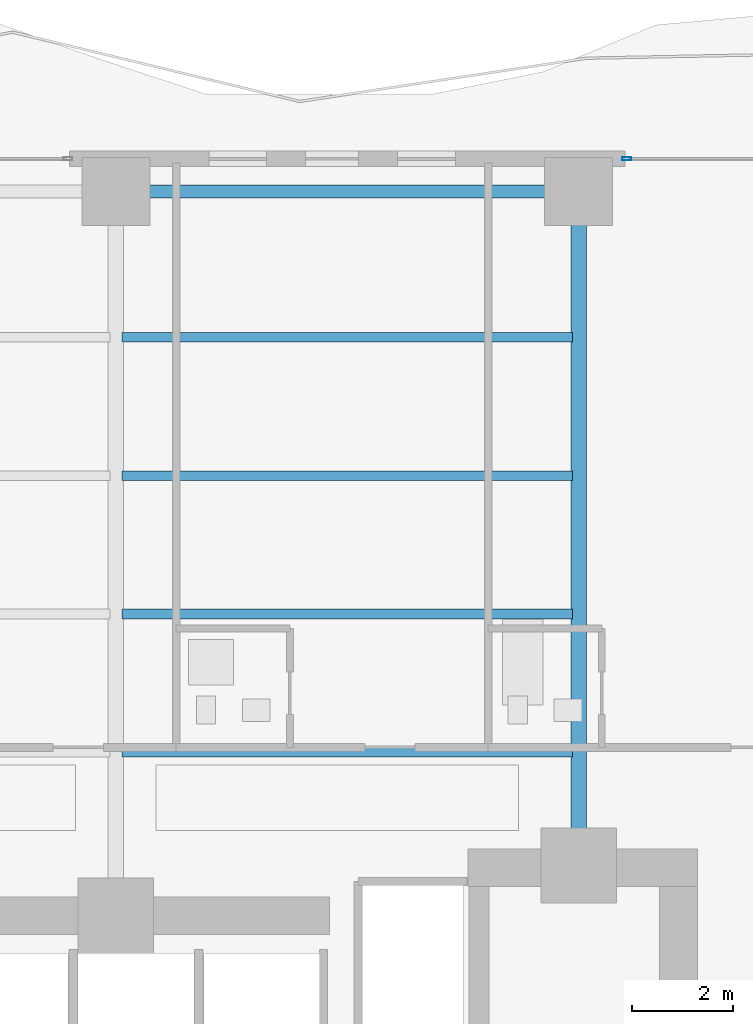
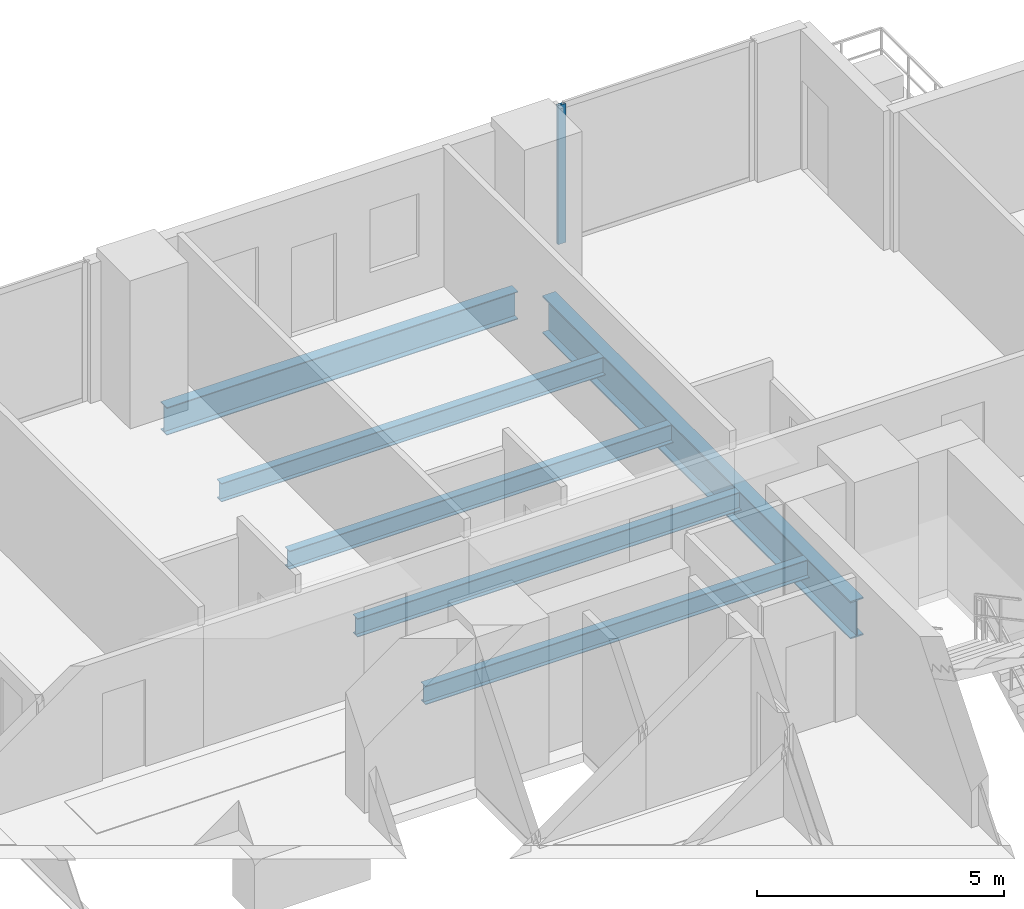
# One storey, part 17 of 27: 6 beams, 1 member, 1 element without a shape of its own.
"""IFC4 building model written with IfcOpenShell, lengths in metres."""

from ifc_helpers import new_model, si_unit, direction, frame, origin, origin_2d, place, context, subcontext, project, spatial, hollow_rectangle, i_section, extrude, material, layer, layer_set, material_profile, profile_set, type_object, element, aggregate, save


model = new_model("IFC4")

# Units and contexts
model_context = context("Model", 3, precision=1e-05, world=origin(), true_north=direction((0.0, 1.0)))
body_context = subcontext(model_context, "Body", "Model", "MODEL_VIEW")
ifc_project = project(units=[si_unit("LENGTHUNIT", "METRE"), si_unit("AREAUNIT", "SQUARE_METRE"), si_unit("VOLUMEUNIT", "CUBIC_METRE"), si_unit("PLANEANGLEUNIT", "RADIAN"), si_unit("MASSUNIT", "GRAM", prefix="KILO")], contexts=[model_context])

# Site, building, storey
site_placement = place(None, origin())
site = spatial("IfcSite", under=ifc_project, at=site_placement, CompositionType="ELEMENT")
building_placement = place(site_placement, origin())
building = spatial("IfcBuilding", under=site, at=building_placement, Name="Zuhayl Quay Hotel", CompositionType="ELEMENT")
storey_placement = place(building_placement, frame((0.0, 0.0, 102.949951171875)))
storey = spatial("IfcBuildingStorey", under=building, at=storey_placement, Name="L25", CompositionType="ELEMENT", Elevation=102.949951171875)

# Beams
ifc_material_1 = material(Name="Steel ASTM A992 Grade 50", Category="steel")
ifc_material_profile_1 = material_profile(ifc_material_1, i_section(OverallWidth=0.25390625, OverallDepth=0.68310546875, WebThickness=0.012451171875, FlangeThickness=0.018798828125, at=origin_2d()), Name="W27X94")
ifc_profile_set_1 = profile_set([ifc_material_profile_1], Name="Steel ASTM A992 Grade 50")
beam_type_1 = type_object("IfcBeamType", Name="BM_B2_W27X94", PredefinedType="BEAM", material=ifc_profile_set_1)
beam_1_placement = place(storey_placement, frame((13.300048828125, 27.75, -0.5615234375), z_axis=(-1.0, 0.0, 0.0), x_axis=(0.0, -1.0, 0.0)))
element("IfcBeam", 1, at=beam_1_placement, inside=storey, type_object=beam_type_1, Name="L25 Floor Beam RG_L25_07", PredefinedType="BEAM", context=body_context, shape_type="SweptSolid", body=[
    extrude(i_section(OverallWidth=0.25390625, OverallDepth=0.68310546875, WebThickness=0.012451171875, FlangeThickness=0.018798828125, at=origin_2d()), origin(), (0.0, 0.0, 1.0), 8.199951171875),
])
ifc_material_profile_2 = material_profile(ifc_material_1, i_section(OverallWidth=0.18994140625, OverallDepth=0.45703125, WebThickness=0.009033203125, FlangeThickness=0.014404296875, at=origin_2d()), Name="W18X50")
ifc_profile_set_2 = profile_set([ifc_material_profile_2], Name="Steel ASTM A992 Grade 50")
beam_type_2 = type_object("IfcBeamType", Name="BM_J2_W18X50", PredefinedType="JOIST", material=ifc_profile_set_2)
for number, where, z_axis, x_axis, name in (
    (2, (4.718994140625, 16.60009765625, -0.448486328125), (1.0, 0.0, 0.0), (0.0, 1.0, 0.0), "L25 Floor Beam FJ_L25_1_3"),
    (3, (4.718994140625, 19.35009765625, -0.448486328125), (1.0, 0.0, 0.0), (0.0, 1.0, 0.0), "L25 Floor Beam FJ_L25_2_3"),
    (4, (4.718994140625, 22.10009765625, -0.448486328125), (1.0, 0.0, 0.0), (0.0, 1.0, 0.0), "L25 Floor Beam FJ_L25_3_3"),
    (5, (4.718994140625, 24.85009765625, -0.448486328125), (1.0, 0.0, 0.0), (0.0, 1.0, 0.0), "L25 Floor Beam FJ_L25_4_3"),
):
    element("IfcBeam", number, at=place(storey_placement, frame(where, z_axis=z_axis, x_axis=x_axis)), inside=storey, type_object=beam_type_2, Name=name, PredefinedType="JOIST", context=body_context, shape_type="SweptSolid", body=[
        extrude(i_section(OverallWidth=0.18994140625, OverallDepth=0.45703125, WebThickness=0.009033203125, FlangeThickness=0.014404296875, at=origin_2d()), origin(), (0.0, 0.0, 1.0), 8.9619140625),
    ])
ifc_material_profile_3 = material_profile(ifc_material_1, i_section(OverallWidth=0.306884765625, OverallDepth=0.927001953125, WebThickness=0.019287109375, FlangeThickness=0.031982421875, at=origin_2d()), Name="W36X194")
ifc_profile_set_3 = profile_set([ifc_material_profile_3], Name="Steel ASTM A992 Grade 50")
beam_type_3 = type_object("IfcBeamType", Name="BM_PG2_W36X194", PredefinedType="BEAM", material=ifc_profile_set_3)
beam_2_placement = place(storey_placement, frame((13.800048828125, 14.800048828125, -0.683349609375), z_axis=(0.0, 1.0, 0.0), x_axis=(-1.0, 0.0, 0.0)))
element("IfcBeam", 6, at=beam_2_placement, inside=storey, type_object=beam_type_3, Name="L25 Floor Beam FG_N_L25_4", PredefinedType="BEAM", context=body_context, shape_type="SweptSolid", body=[
    extrude(i_section(OverallWidth=0.306884765625, OverallDepth=0.927001953125, WebThickness=0.019287109375, FlangeThickness=0.031982421875, at=origin_2d()), origin(), (0.0, 0.0, 1.0), 12.449951171875),
])

# Curtain wall, member
ifc_material_2 = material(Name="Anodised Aluminium 6063-T6", Category="aluminium")
ifc_layer = layer(ifc_material_2, 0.179931640625, Name="Anodised Aluminium 6063-T6", Category="aluminium")
ifc_layer_set = layer_set([ifc_layer], Name="Anodised Aluminium 6063-T6")
curtain_wall_type = type_object("IfcCurtainWallType", Name="CW_SYS_Z2", PredefinedType="USERDEFINED", material=ifc_layer_set)
curtain_wall_placement = place(storey_placement, origin())
curtain_wall = element("IfcCurtainWall", 7, at=curtain_wall_placement, inside=storey, type_object=curtain_wall_type, Name="L25 Curtain Wall ENV_L25_N_CW4", ObjectType="UNITISED CURTAIN WALL", PredefinedType="USERDEFINED")
ifc_material_3 = material(Name="Black-anodised aluminium 6063-T6", Category="aluminium")
ifc_material_profile_4 = material_profile(ifc_material_3, hollow_rectangle(XDim=0.06494140625, YDim=0.179931640625, WallThickness=0.00341796875, at=origin_2d()), Name="ALU180X65")
ifc_profile_set_4 = profile_set([ifc_material_profile_4], Name="Black-anodised aluminium 6063-T6")
member_type = type_object("IfcMemberType", Name="MB_CW_MUL_180", PredefinedType="MULLION", material=ifc_profile_set_4)
member_placement = place(storey_placement, frame((14.75244140625, 28.39990234375, 0.0), z_axis=(0.0, 0.0, 1.0), x_axis=(0.0, 1.0, 0.0)))
member = element("IfcMember", 8, at=member_placement, type_object=member_type, Name="CW-Z2 mullion 1", PredefinedType="MULLION", context=body_context, shape_type="SweptSolid", body=[
    extrude(hollow_rectangle(XDim=0.06494140625, YDim=0.179931640625, WallThickness=0.00341796875, at=origin_2d()), origin(), (0.0, 0.0, 1.0), 3.429931640625),
])
aggregate(curtain_wall, [member])

save(model, "model.ifc")
